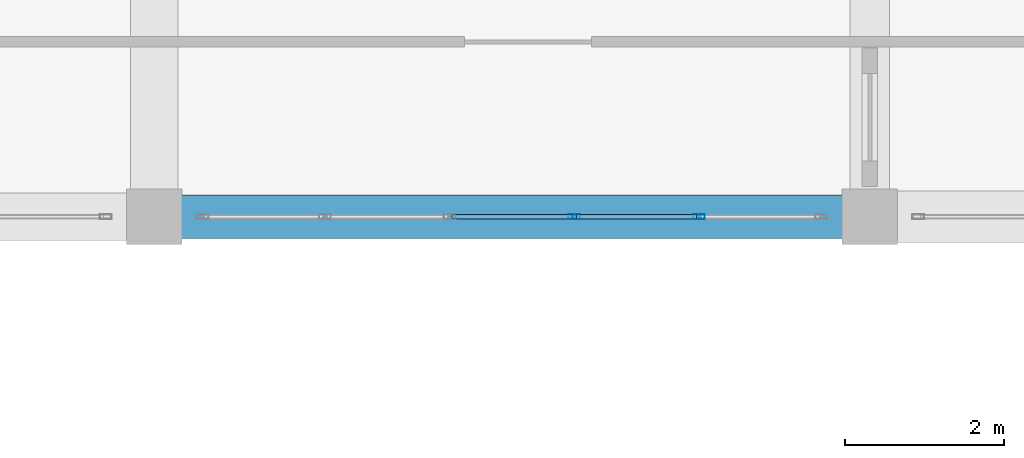
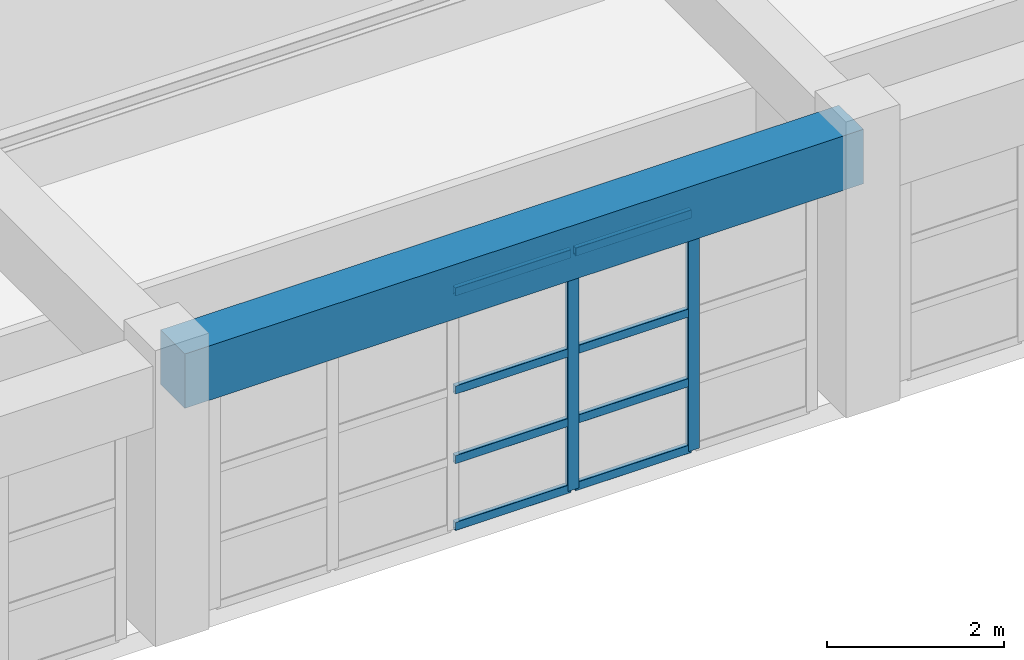
# One storey, part 64 of 130: 10 members, 1 beam, 1 element without a shape of its own.
"""IFC4 building model written with IfcOpenShell, lengths in metres."""

from ifc_helpers import new_model, si_unit, direction, frame, origin, origin_2d, place, context, subcontext, project, spatial, rectangle, hollow_rectangle, extrude, material, material_profile, profile_set, type_object, element, aggregate, save


model = new_model("IFC4")

# Units and contexts
model_context = context("Model", 3, precision=1e-05, world=origin(), true_north=direction((0.0, 1.0)))
body_context = subcontext(model_context, "Body", "Model", "MODEL_VIEW")
ifc_project = project(units=[si_unit("LENGTHUNIT", "METRE"), si_unit("AREAUNIT", "SQUARE_METRE"), si_unit("VOLUMEUNIT", "CUBIC_METRE"), si_unit("PLANEANGLEUNIT", "RADIAN"), si_unit("MASSUNIT", "GRAM", prefix="KILO")], contexts=[model_context])

# Site, building, storey
site_placement = place(None, origin())
site = spatial("IfcSite", under=ifc_project, at=site_placement, CompositionType="ELEMENT")
building_placement = place(site_placement, origin())
building = spatial("IfcBuilding", under=site, at=building_placement, Name="Miravela Opera House", CompositionType="ELEMENT")
storey_placement = place(building_placement, frame((0.0, 0.0, 9.52001953125)))
storey = spatial("IfcBuildingStorey", under=building, at=storey_placement, Name="L02", CompositionType="ELEMENT", Elevation=9.52001953125)

# Curtain wall, members
ifc_material_1 = material(Name="Anodised architectural bronze aluminium 6063-T6", Category="aluminium")
curtain_wall_type = type_object("IfcCurtainWallType", Name="ARC-CW-05", PredefinedType="NOTDEFINED", material=ifc_material_1)
curtain_wall_placement = place(storey_placement, origin())
curtain_wall = element("IfcCurtainWall", 1, at=curtain_wall_placement, inside=storey, type_object=curtain_wall_type, Name="Courtyard Arcade Curtain Wall CW-L02-094", PredefinedType="NOTDEFINED")
ifc_material_profile_1 = material_profile(ifc_material_1, hollow_rectangle(XDim=0.06005859375, YDim=0.14990234375, WallThickness=0.00390625, InnerFilletRadius=0.001953125, OuterFilletRadius=0.00390625, at=origin_2d()), Name="CWM-60X150")
ifc_profile_set_1 = profile_set([ifc_material_profile_1])
member_type_1 = type_object("IfcMemberType", Name="ARC-CWM-150", PredefinedType="MULLION", material=ifc_profile_set_1)
member_1_placement = place(storey_placement, frame((50.283935546875, 103.0, 0.0), z_axis=(0.0, 0.0, 1.0), x_axis=(0.0, 1.0, 0.0)))
member_1 = element("IfcMember", 2, at=member_1_placement, type_object=member_type_1, Name="CW-05 mullion 4", PredefinedType="MULLION", context=body_context, shape_type="SweptSolid", body=[
    extrude(hollow_rectangle(XDim=0.06005859375, YDim=0.14990234375, WallThickness=0.00390625, InnerFilletRadius=0.001953125, OuterFilletRadius=0.00390625, at=origin_2d()), origin(), (0.0, 0.0, 1.0), 3.2900390625),
])
member_2_placement = place(storey_placement, frame((51.85205078125, 103.0, 0.0), z_axis=(0.0, 0.0, 1.0), x_axis=(0.0, 1.0, 0.0)))
member_2 = element("IfcMember", 3, at=member_2_placement, type_object=member_type_1, Name="CW-05 mullion 5", PredefinedType="MULLION", context=body_context, shape_type="SweptSolid", body=[
    extrude(hollow_rectangle(XDim=0.06005859375, YDim=0.14990234375, WallThickness=0.00390625, InnerFilletRadius=0.001953125, OuterFilletRadius=0.00390625, at=origin_2d()), origin(), (0.0, 0.0, 1.0), 3.2900390625),
])
ifc_material_profile_2 = material_profile(ifc_material_1, hollow_rectangle(XDim=0.06005859375, YDim=0.114990234375, WallThickness=0.00390625, InnerFilletRadius=0.001953125, OuterFilletRadius=0.00390625, at=origin_2d()), Name="CWT-60X115")
ifc_profile_set_2 = profile_set([ifc_material_profile_2])
member_type_2 = type_object("IfcMemberType", Name="ARC-CWT-115", PredefinedType="USERDEFINED", material=ifc_profile_set_2)
member_3_placement = place(storey_placement, frame((48.74609375, 103.0, 0.030029296875), z_axis=(1.0, 0.0, 0.0), x_axis=(0.0, 1.0, 0.0)))
member_3 = element("IfcMember", 4, at=member_3_placement, type_object=member_type_2, Name="CW-05 transom 3.1", ObjectType="TRANSOM", PredefinedType="USERDEFINED", context=body_context, shape_type="SweptSolid", body=[
    extrude(hollow_rectangle(XDim=0.06005859375, YDim=0.114990234375, WallThickness=0.00390625, InnerFilletRadius=0.001953125, OuterFilletRadius=0.00390625, at=origin_2d()), origin(), (0.0, 0.0, 1.0), 1.5078125),
])
member_4_placement = place(storey_placement, frame((48.74609375, 103.0, 0.949951171875), z_axis=(1.0, 0.0, 0.0), x_axis=(0.0, 1.0, 0.0)))
member_4 = element("IfcMember", 5, at=member_4_placement, type_object=member_type_2, Name="CW-05 transom 3.2", ObjectType="TRANSOM", PredefinedType="USERDEFINED", context=body_context, shape_type="SweptSolid", body=[
    extrude(hollow_rectangle(XDim=0.06005859375, YDim=0.114990234375, WallThickness=0.00390625, InnerFilletRadius=0.001953125, OuterFilletRadius=0.00390625, at=origin_2d()), origin(), (0.0, 0.0, 1.0), 1.5078125),
])
member_5_placement = place(storey_placement, frame((48.74609375, 103.0, 1.908203125), z_axis=(1.0, 0.0, 0.0), x_axis=(0.0, 1.0, 0.0)))
member_5 = element("IfcMember", 6, at=member_5_placement, type_object=member_type_2, Name="CW-05 transom 3.3", ObjectType="TRANSOM", PredefinedType="USERDEFINED", context=body_context, shape_type="SweptSolid", body=[
    extrude(hollow_rectangle(XDim=0.06005859375, YDim=0.114990234375, WallThickness=0.00390625, InnerFilletRadius=0.001953125, OuterFilletRadius=0.00390625, at=origin_2d()), origin(), (0.0, 0.0, 1.0), 1.5078125),
])
member_6_placement = place(storey_placement, frame((48.74609375, 103.0, 3.260009765625), z_axis=(1.0, 0.0, 0.0), x_axis=(0.0, 1.0, 0.0)))
member_6 = element("IfcMember", 7, at=member_6_placement, type_object=member_type_2, Name="CW-05 transom 3.4", ObjectType="TRANSOM", PredefinedType="USERDEFINED", context=body_context, shape_type="SweptSolid", body=[
    extrude(hollow_rectangle(XDim=0.06005859375, YDim=0.114990234375, WallThickness=0.00390625, InnerFilletRadius=0.001953125, OuterFilletRadius=0.00390625, at=origin_2d()), origin(), (0.0, 0.0, 1.0), 1.5078125),
])
member_7_placement = place(storey_placement, frame((50.31396484375, 103.0, 0.030029296875), z_axis=(1.0, 0.0, 0.0), x_axis=(0.0, 1.0, 0.0)))
member_7 = element("IfcMember", 8, at=member_7_placement, type_object=member_type_2, Name="CW-05 transom 4.1", ObjectType="TRANSOM", PredefinedType="USERDEFINED", context=body_context, shape_type="SweptSolid", body=[
    extrude(hollow_rectangle(XDim=0.06005859375, YDim=0.114990234375, WallThickness=0.00390625, InnerFilletRadius=0.001953125, OuterFilletRadius=0.00390625, at=origin_2d()), origin(), (0.0, 0.0, 1.0), 1.508056640625),
])
member_8_placement = place(storey_placement, frame((50.31396484375, 103.0, 0.949951171875), z_axis=(1.0, 0.0, 0.0), x_axis=(0.0, 1.0, 0.0)))
member_8 = element("IfcMember", 9, at=member_8_placement, type_object=member_type_2, Name="CW-05 transom 4.2", ObjectType="TRANSOM", PredefinedType="USERDEFINED", context=body_context, shape_type="SweptSolid", body=[
    extrude(hollow_rectangle(XDim=0.06005859375, YDim=0.114990234375, WallThickness=0.00390625, InnerFilletRadius=0.001953125, OuterFilletRadius=0.00390625, at=origin_2d()), origin(), (0.0, 0.0, 1.0), 1.508056640625),
])
member_9_placement = place(storey_placement, frame((50.31396484375, 103.0, 1.908203125), z_axis=(1.0, 0.0, 0.0), x_axis=(0.0, 1.0, 0.0)))
member_9 = element("IfcMember", 10, at=member_9_placement, type_object=member_type_2, Name="CW-05 transom 4.3", ObjectType="TRANSOM", PredefinedType="USERDEFINED", context=body_context, shape_type="SweptSolid", body=[
    extrude(hollow_rectangle(XDim=0.06005859375, YDim=0.114990234375, WallThickness=0.00390625, InnerFilletRadius=0.001953125, OuterFilletRadius=0.00390625, at=origin_2d()), origin(), (0.0, 0.0, 1.0), 1.508056640625),
])
member_10_placement = place(storey_placement, frame((50.31396484375, 103.0, 3.260009765625), z_axis=(1.0, 0.0, 0.0), x_axis=(0.0, 1.0, 0.0)))
member_10 = element("IfcMember", 11, at=member_10_placement, type_object=member_type_2, Name="CW-05 transom 4.4", ObjectType="TRANSOM", PredefinedType="USERDEFINED", context=body_context, shape_type="SweptSolid", body=[
    extrude(hollow_rectangle(XDim=0.06005859375, YDim=0.114990234375, WallThickness=0.00390625, InnerFilletRadius=0.001953125, OuterFilletRadius=0.00390625, at=origin_2d()), origin(), (0.0, 0.0, 1.0), 1.508056640625),
])
aggregate(curtain_wall, [member_1, member_2, member_3, member_4, member_5, member_6, member_7, member_8, member_9, member_10])

# Beam
ifc_material_2 = material(Name="Concrete C35/45", Category="concrete")
ifc_material_profile_3 = material_profile(ifc_material_2, rectangle(XDim=0.550048828125, YDim=0.75, at=origin_2d()), Name="RC-BM-550X750")
ifc_profile_set_3 = profile_set([ifc_material_profile_3])
beam_type = type_object("IfcBeamType", Name="STR-BM-RC550X750", PredefinedType="BEAM", material=ifc_profile_set_3)
beam_placement = place(storey_placement, frame((45.080078125, 103.0, 3.465087890625), z_axis=(1.0, 0.0, 0.0), x_axis=(0.0, 1.0, 0.0)))
element("IfcBeam", 12, at=beam_placement, inside=storey, type_object=beam_type, Name="Floor Girder L02 6-7/L", PredefinedType="BEAM", context=body_context, shape_type="SweptSolid", body=[
    extrude(rectangle(XDim=0.550048828125, YDim=0.75, at=origin_2d()), origin(), (0.0, 0.0, 1.0), 8.83984375),
])

save(model, "model.ifc")
